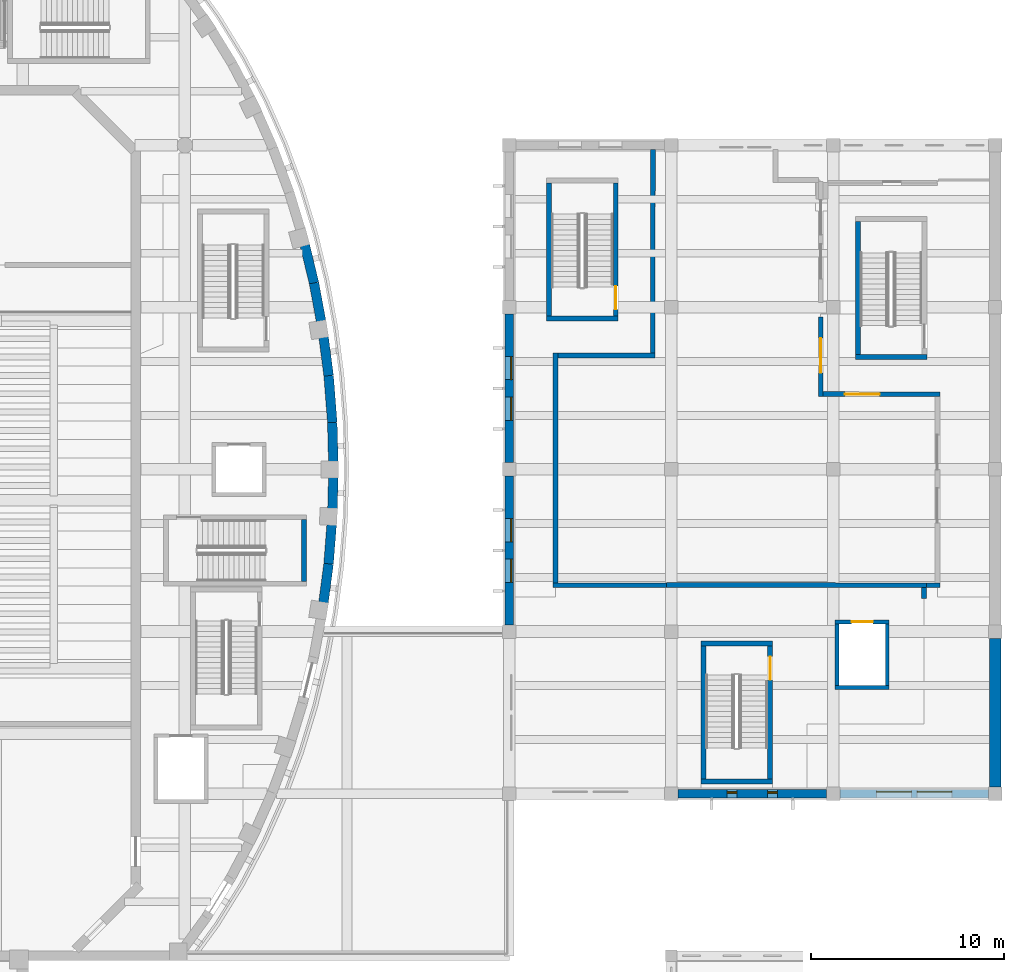
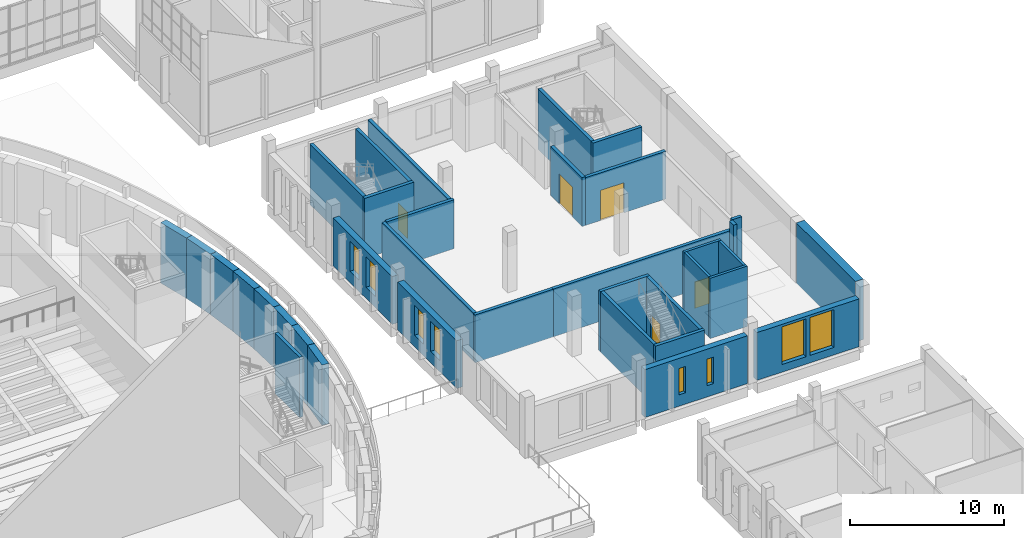
# One storey, part 69 of 119: 36 walls, 8 windows, 5 doors, 13 openings.
"""IFC4 building model written with IfcOpenShell, lengths in metres."""

from ifc_helpers import new_model, si_unit, direction, frame, frame_2d, origin, place, context, subcontext, project, spatial, rectangle, extrude, material, layer, layer_set, type_object, element, fill, save


model = new_model("IFC4")

# Units and contexts
model_context = context("Model", 3, precision=1e-05, world=origin(), true_north=direction((0.0, 1.0)))
body_context = subcontext(model_context, "Body", "Model", "MODEL_VIEW")
ifc_project = project(units=[si_unit("LENGTHUNIT", "METRE"), si_unit("AREAUNIT", "SQUARE_METRE"), si_unit("VOLUMEUNIT", "CUBIC_METRE"), si_unit("PLANEANGLEUNIT", "RADIAN"), si_unit("MASSUNIT", "GRAM", prefix="KILO")], contexts=[model_context])

# Site, building, storey
site_placement = place(None, origin())
site = spatial("IfcSite", under=ifc_project, at=site_placement, CompositionType="ELEMENT")
building_placement = place(site_placement, origin())
building = spatial("IfcBuilding", under=site, at=building_placement, Name="Larchfold Concert Hall", CompositionType="ELEMENT")
storey_placement = place(building_placement, frame((0.0, 0.0, 4.800048828125)))
storey = spatial("IfcBuildingStorey", under=building, at=storey_placement, Name="L01", CompositionType="ELEMENT", Elevation=4.800048828125)

# Wall, openings, windows
ifc_material_1 = material(Name="Charred larch cladding on mineral wool and CLT", Category="wood")
ifc_layer_1 = layer(ifc_material_1, 0.449951171875)
ifc_layer_set_1 = layer_set([ifc_layer_1], Name="Charred larch cladding on mineral wool and CLT")
wall_type_1 = type_object("IfcWallType", Name="Charred larch infill wall 450", PredefinedType="SOLIDWALL", material=ifc_layer_set_1)
wall_1_placement = place(storey_placement, frame((76.199951171875, 92.64990234375, 0.0), z_axis=(0.0, 0.0, 1.0), x_axis=(0.0, -1.0, 0.0)))
wall_1 = element("IfcWall", 1, at=wall_1_placement, inside=storey, type_object=wall_type_1, Name="Infill wall W5082", PredefinedType="SOLIDWALL", context=body_context, shape_type="SweptSolid", body=[
    extrude(rectangle(XDim=7.69970703125, YDim=0.449951171875, at=frame_2d((3.849853515625, 0.0))), origin(), (0.0, 0.0, 1.0), 3.800048828125),
])
opening_1_placement = place(wall_1_placement, frame((4.2998046875, 0.0, 0.89990234375)))
opening_1 = element("IfcOpeningElement", 2, at=opening_1_placement, cuts=wall_1, Name="Opening WN-L01-045", PredefinedType="OPENING", context=body_context, shape_type="SweptSolid", body=[
    extrude(rectangle(XDim=1.199951171875, YDim=2.39990234375, at=frame_2d((0.60009765625, 1.199951171875))), frame((0.0, 0.23486328125, 0.0), z_axis=(0.0, -1.0, 0.0), x_axis=(1.0, 0.0, 0.0)), (0.0, 0.0, 1.0), 0.469970703125),
])
opening_2_placement = place(wall_1_placement, frame((2.199951171875, 0.0, 0.89990234375)))
opening_2 = element("IfcOpeningElement", 3, at=opening_2_placement, cuts=wall_1, Name="Opening WN-L01-046", PredefinedType="OPENING", context=body_context, shape_type="SweptSolid", body=[
    extrude(rectangle(XDim=1.199951171875, YDim=2.39990234375, at=frame_2d((0.60009765625, 1.199951171875))), frame((0.0, 0.23486328125, 0.0), z_axis=(0.0, -1.0, 0.0), x_axis=(1.0, 0.0, 0.0)), (0.0, 0.0, 1.0), 0.469970703125),
])
ifc_material_2 = material(Name="Anodised graphite aluminium frame with glass", Category="aluminium")
window_type_1 = type_object("IfcWindowType", Name="Slot window 1200x2400", PartitioningType="SINGLE_PANEL", PredefinedType="WINDOW", material=ifc_material_2)
window_1_placement = place(opening_1_placement, origin())
window_1 = element("IfcWindow", 4, at=window_1_placement, inside=storey, type_object=window_type_1, Name="Window WN-L01-045", OverallHeight=2.39990234375, OverallWidth=1.199951171875, PartitioningType="SINGLE_PANEL", PredefinedType="WINDOW", context=body_context, shape_type="SweptSolid", body=[
    extrude(rectangle(XDim=1.199951171875, YDim=2.39990234375, at=frame_2d((0.60009765625, 1.199951171875))), frame((0.0, 0.135009765625, 0.0), z_axis=(0.0, -1.0, 0.0), x_axis=(1.0, 0.0, 0.0)), (0.0, 0.0, 1.0), 0.06005859375),
])
fill(opening_1, window_1)
window_2_placement = place(opening_2_placement, origin())
window_2 = element("IfcWindow", 5, at=window_2_placement, inside=storey, type_object=window_type_1, Name="Window WN-L01-046", OverallHeight=2.39990234375, OverallWidth=1.199951171875, PartitioningType="SINGLE_PANEL", PredefinedType="WINDOW", context=body_context, shape_type="SweptSolid", body=[
    extrude(rectangle(XDim=1.199951171875, YDim=2.39990234375, at=frame_2d((0.60009765625, 1.199951171875))), frame((0.0, 0.135009765625, 0.0), z_axis=(0.0, -1.0, 0.0), x_axis=(1.0, 0.0, 0.0)), (0.0, 0.0, 1.0), 0.06005859375),
])
fill(opening_2, window_2)

wall_2_placement = place(storey_placement, frame((76.199951171875, 84.25, 0.0), z_axis=(0.0, 0.0, 1.0), x_axis=(0.0, -1.0, 0.0)))
wall_2 = element("IfcWall", 6, at=wall_2_placement, inside=storey, type_object=wall_type_1, Name="Infill wall W5083", PredefinedType="SOLIDWALL", context=body_context, shape_type="SweptSolid", body=[
    extrude(rectangle(XDim=7.699951171875, YDim=0.449951171875, at=frame_2d((3.85009765625, 0.0))), origin(), (0.0, 0.0, 1.0), 3.800048828125),
])
opening_3_placement = place(wall_2_placement, frame((4.300048828125, 0.0, 0.89990234375)))
opening_3 = element("IfcOpeningElement", 7, at=opening_3_placement, cuts=wall_2, Name="Opening WN-L01-047", PredefinedType="OPENING", context=body_context, shape_type="SweptSolid", body=[
    extrude(rectangle(XDim=1.199951171875, YDim=2.39990234375, at=frame_2d((0.60009765625, 1.199951171875))), frame((0.0, 0.23486328125, 0.0), z_axis=(0.0, -1.0, 0.0), x_axis=(1.0, 0.0, 0.0)), (0.0, 0.0, 1.0), 0.469970703125),
])
opening_4_placement = place(wall_2_placement, frame((2.199951171875, 0.0, 0.89990234375)))
opening_4 = element("IfcOpeningElement", 8, at=opening_4_placement, cuts=wall_2, Name="Opening WN-L01-048", PredefinedType="OPENING", context=body_context, shape_type="SweptSolid", body=[
    extrude(rectangle(XDim=1.199951171875, YDim=2.39990234375, at=frame_2d((0.60009765625, 1.199951171875))), frame((0.0, 0.23486328125, 0.0), z_axis=(0.0, -1.0, 0.0), x_axis=(1.0, 0.0, 0.0)), (0.0, 0.0, 1.0), 0.469970703125),
])
window_3_placement = place(opening_3_placement, origin())
window_3 = element("IfcWindow", 9, at=window_3_placement, inside=storey, type_object=window_type_1, Name="Window WN-L01-047", OverallHeight=2.39990234375, OverallWidth=1.199951171875, PartitioningType="SINGLE_PANEL", PredefinedType="WINDOW", context=body_context, shape_type="SweptSolid", body=[
    extrude(rectangle(XDim=1.199951171875, YDim=2.39990234375, at=frame_2d((0.60009765625, 1.199951171875))), frame((0.0, 0.135009765625, 0.0), z_axis=(0.0, -1.0, 0.0), x_axis=(1.0, 0.0, 0.0)), (0.0, 0.0, 1.0), 0.06005859375),
])
fill(opening_3, window_3)
window_4_placement = place(opening_4_placement, origin())
window_4 = element("IfcWindow", 10, at=window_4_placement, inside=storey, type_object=window_type_1, Name="Window WN-L01-048", OverallHeight=2.39990234375, OverallWidth=1.199951171875, PartitioningType="SINGLE_PANEL", PredefinedType="WINDOW", context=body_context, shape_type="SweptSolid", body=[
    extrude(rectangle(XDim=1.199951171875, YDim=2.39990234375, at=frame_2d((0.60009765625, 1.199951171875))), frame((0.0, 0.135009765625, 0.0), z_axis=(0.0, -1.0, 0.0), x_axis=(1.0, 0.0, 0.0)), (0.0, 0.0, 1.0), 0.06005859375),
])
fill(opening_4, window_4)

wall_3_placement = place(storey_placement, frame((84.9501953125, 67.800048828125, 0.0), z_axis=(0.0, 0.0, 1.0), x_axis=(1.0, 0.0, 0.0)))
wall_3 = element("IfcWall", 11, at=wall_3_placement, inside=storey, type_object=wall_type_1, Name="Infill wall W5086", PredefinedType="SOLIDWALL", context=body_context, shape_type="SweptSolid", body=[
    extrude(rectangle(XDim=7.69970703125, YDim=0.449951171875, at=frame_2d((3.849853515625, 0.0))), origin(), (0.0, 0.0, 1.0), 3.800048828125),
])
opening_5_placement = place(wall_3_placement, frame((2.5498046875, 0.0, 0.89990234375)))
opening_5 = element("IfcOpeningElement", 12, at=opening_5_placement, cuts=wall_3, Name="Opening WN-L01-053", PredefinedType="OPENING", context=body_context, shape_type="SweptSolid", body=[
    extrude(rectangle(XDim=0.5, YDim=2.10009765625, at=frame_2d((0.25, 1.050048828125))), frame((0.0, 0.23486328125, 0.0), z_axis=(0.0, -1.0, 0.0), x_axis=(1.0, 0.0, 0.0)), (0.0, 0.0, 1.0), 0.469970703125),
])
opening_6_placement = place(wall_3_placement, frame((4.64990234375, 0.0, 0.89990234375)))
opening_6 = element("IfcOpeningElement", 13, at=opening_6_placement, cuts=wall_3, Name="Opening WN-L01-054", PredefinedType="OPENING", context=body_context, shape_type="SweptSolid", body=[
    extrude(rectangle(XDim=0.5, YDim=2.10009765625, at=frame_2d((0.25, 1.050048828125))), frame((0.0, 0.23486328125, 0.0), z_axis=(0.0, -1.0, 0.0), x_axis=(1.0, 0.0, 0.0)), (0.0, 0.0, 1.0), 0.469970703125),
])
ifc_material_3 = material(Name="Anodised graphite aluminium frame with glass", Category="aluminium")
window_type_2 = type_object("IfcWindowType", Name="Stair slot window 500x2100", PartitioningType="SINGLE_PANEL", PredefinedType="WINDOW", material=ifc_material_3)
window_5_placement = place(opening_5_placement, origin())
window_5 = element("IfcWindow", 14, at=window_5_placement, inside=storey, type_object=window_type_2, Name="Window WN-L01-053", OverallHeight=2.10009765625, OverallWidth=0.5, PartitioningType="SINGLE_PANEL", PredefinedType="WINDOW", context=body_context, shape_type="SweptSolid", body=[
    extrude(rectangle(XDim=0.5, YDim=2.10009765625, at=frame_2d((0.25, 1.050048828125))), frame((0.0, 0.0849609375, 0.0), z_axis=(0.0, -1.0, 0.0), x_axis=(1.0, 0.0, 0.0)), (0.0, 0.0, 1.0), 0.06005859375),
])
fill(opening_5, window_5)
window_6_placement = place(opening_6_placement, origin())
window_6 = element("IfcWindow", 15, at=window_6_placement, inside=storey, type_object=window_type_2, Name="Window WN-L01-054", OverallHeight=2.10009765625, OverallWidth=0.5, PartitioningType="SINGLE_PANEL", PredefinedType="WINDOW", context=body_context, shape_type="SweptSolid", body=[
    extrude(rectangle(XDim=0.5, YDim=2.10009765625, at=frame_2d((0.25, 1.050048828125))), frame((0.0, 0.0849609375, 0.0), z_axis=(0.0, -1.0, 0.0), x_axis=(1.0, 0.0, 0.0)), (0.0, 0.0, 1.0), 0.06005859375),
])
fill(opening_6, window_6)

wall_4_placement = place(storey_placement, frame((93.35009765625, 67.800048828125, 0.0), z_axis=(0.0, 0.0, 1.0), x_axis=(1.0, 0.0, 0.0)))
wall_4 = element("IfcWall", 16, at=wall_4_placement, inside=storey, type_object=wall_type_1, Name="Infill wall W5087", PredefinedType="SOLIDWALL", context=body_context, shape_type="SweptSolid", body=[
    extrude(rectangle(XDim=7.69970703125, YDim=0.449951171875, at=frame_2d((3.849853515625, 0.0))), origin(), (0.0, 0.0, 1.0), 3.800048828125),
])
opening_7_placement = place(wall_4_placement, frame((1.89990234375, 0.0, 0.60009765625)))
opening_7 = element("IfcOpeningElement", 17, at=opening_7_placement, cuts=wall_4, Name="Opening WN-L01-055", PredefinedType="OPENING", context=body_context, shape_type="SweptSolid", body=[
    extrude(rectangle(XDim=1.800048828125, YDim=3.0, at=frame_2d((0.89990234375, 1.5))), frame((0.0, 0.23486328125, 0.0), z_axis=(0.0, -1.0, 0.0), x_axis=(1.0, 0.0, 0.0)), (0.0, 0.0, 1.0), 0.469970703125),
])
opening_8_placement = place(wall_4_placement, frame((4.0, 0.0, 0.60009765625)))
opening_8 = element("IfcOpeningElement", 18, at=opening_8_placement, cuts=wall_4, Name="Opening WN-L01-056", PredefinedType="OPENING", context=body_context, shape_type="SweptSolid", body=[
    extrude(rectangle(XDim=1.800048828125, YDim=3.0, at=frame_2d((0.89990234375, 1.5))), frame((0.0, 0.23486328125, 0.0), z_axis=(0.0, -1.0, 0.0), x_axis=(1.0, 0.0, 0.0)), (0.0, 0.0, 1.0), 0.469970703125),
])
ifc_material_4 = material(Name="Anodised graphite aluminium frame with glass", Category="aluminium")
window_type_3 = type_object("IfcWindowType", Name="Foyer tall window 1800x3000", PartitioningType="DOUBLE_PANEL_VERTICAL", PredefinedType="WINDOW", material=ifc_material_4)
window_7_placement = place(opening_7_placement, origin())
window_7 = element("IfcWindow", 19, at=window_7_placement, inside=storey, type_object=window_type_3, Name="Window WN-L01-055", OverallHeight=3.0, OverallWidth=1.800048828125, PartitioningType="DOUBLE_PANEL_VERTICAL", PredefinedType="WINDOW", context=body_context, shape_type="SweptSolid", body=[
    extrude(rectangle(XDim=1.800048828125, YDim=3.0, at=frame_2d((0.89990234375, 1.5))), frame((0.0, 0.135009765625, 0.0), z_axis=(0.0, -1.0, 0.0), x_axis=(1.0, 0.0, 0.0)), (0.0, 0.0, 1.0), 0.06005859375),
])
fill(opening_7, window_7)
window_8_placement = place(opening_8_placement, origin())
window_8 = element("IfcWindow", 20, at=window_8_placement, inside=storey, type_object=window_type_3, Name="Window WN-L01-056", OverallHeight=3.0, OverallWidth=1.800048828125, PartitioningType="DOUBLE_PANEL_VERTICAL", PredefinedType="WINDOW", context=body_context, shape_type="SweptSolid", body=[
    extrude(rectangle(XDim=1.800048828125, YDim=3.0, at=frame_2d((0.89990234375, 1.5))), frame((0.0, 0.135009765625, 0.0), z_axis=(0.0, -1.0, 0.0), x_axis=(1.0, 0.0, 0.0)), (0.0, 0.0, 1.0), 0.06005859375),
])
fill(opening_8, window_8)

# Walls
ifc_material_5 = material(Name="Plasterboard partition on steel studs", Category="steel")
ifc_layer_2 = layer(ifc_material_5, 0.25)
ifc_layer_set_2 = layer_set([ifc_layer_2], Name="Plasterboard partition on steel studs")
wall_type_2 = type_object("IfcWallType", Name="Hall acoustic double-leaf partition 250", PredefinedType="PARTITIONING", material=ifc_layer_set_2)
wall_5_placement = place(storey_placement, frame((84.35009765625, 78.612060546875, 0.0), z_axis=(0.0, 0.0, 1.0), x_axis=(0.999999521312, -0.000978455383, 0.0)))
element("IfcWall", 21, at=wall_5_placement, inside=storey, type_object=wall_type_2, Name="Partition IW0066", PredefinedType="PARTITIONING", context=body_context, shape_type="SweptSolid", body=[
    extrude(rectangle(XDim=13.473876953125, YDim=0.25, at=frame_2d((6.73681640625, 0.0))), origin(), (0.0, 0.0, 1.0), 3.800048828125),
])
wall_6_placement = place(storey_placement, frame((84.34912109375, 78.60107421875, 0.0), z_axis=(0.0, 0.0, 1.0), x_axis=(-1.0, 0.0, 0.0)))
element("IfcWall", 22, at=wall_6_placement, inside=storey, type_object=wall_type_2, Name="Partition IW0067", PredefinedType="PARTITIONING", context=body_context, shape_type="SweptSolid", body=[
    extrude(rectangle(XDim=5.8740234375, YDim=0.25, at=frame_2d((2.93701171875, 0.0))), origin(), (0.0, 0.0, 1.0), 3.800048828125),
])
wall_7_placement = place(storey_placement, frame((98.52490234375, 78.60107421875, 0.0), z_axis=(0.0, 0.0, 1.0), x_axis=(-0.999999026729, -0.001395185248, 0.0)))
element("IfcWall", 23, at=wall_7_placement, inside=storey, type_object=wall_type_2, Name="Partition IW0068", PredefinedType="PARTITIONING", context=body_context, shape_type="SweptSolid", body=[
    extrude(rectangle(XDim=0.699951171875, YDim=0.25, at=frame_2d((0.35009765625, 0.0))), origin(), (0.0, 0.0, 1.0), 4.599853515625),
])
wall_8_placement = place(storey_placement, frame((97.69970703125, 78.469970703125, 0.0), z_axis=(0.0, 0.0, 1.0), x_axis=(-0.001728605888, -0.99999850596, 0.0)))
element("IfcWall", 24, at=wall_8_placement, inside=storey, type_object=wall_type_2, Name="Partition IW0069", PredefinedType="PARTITIONING", context=body_context, shape_type="SweptSolid", body=[
    extrude(rectangle(XDim=0.56494140625, YDim=0.25, at=frame_2d((0.282470703125, 0.0))), origin(), (0.0, 0.0, 1.0), 4.599853515625),
])

# Wall, opening, door
wall_9_placement = place(storey_placement, frame((92.35107421875, 92.5048828125, 0.0), z_axis=(0.0, 0.0, 1.0), x_axis=(0.000236686384, -0.99999997199, 0.0)))
wall_9 = element("IfcWall", 25, at=wall_9_placement, inside=storey, type_object=wall_type_2, Name="Partition IW0071", PredefinedType="PARTITIONING", context=body_context, shape_type="SweptSolid", body=[
    extrude(rectangle(XDim=4.1259765625, YDim=0.25, at=frame_2d((2.06298828125, 0.0))), origin(), (0.0, 0.0, 1.0), 3.89990234375),
])
opening_9_placement = place(wall_9_placement, frame((1.10009765625, 0.0, 0.0)))
opening_9 = element("IfcOpeningElement", 26, at=opening_9_placement, cuts=wall_9, Name="Opening D-L01-138", PredefinedType="OPENING", context=body_context, shape_type="SweptSolid", body=[
    extrude(rectangle(XDim=1.800048828125, YDim=2.39990234375, at=frame_2d((0.89990234375, 1.199951171875))), frame((0.0, 0.135009765625, 0.0), z_axis=(0.0, -1.0, 0.0), x_axis=(1.0, 0.0, 0.0)), (0.0, 0.0, 1.0), 0.27001953125),
])
ifc_material_6 = material(Name="Timber door leaf", Category="wood")
door_type_1 = type_object("IfcDoorType", Name="Hall vomitory door pair, acoustic 1800 x 2400 FD60", OperationType="SINGLE_SWING_LEFT", PredefinedType="DOOR", material=ifc_material_6)
door_1_placement = place(opening_9_placement, origin())
door_1 = element("IfcDoor", 27, at=door_1_placement, inside=storey, type_object=door_type_1, Name="Door D-L01-138", OperationType="DOUBLE_DOOR_SINGLE_SWING", OverallHeight=2.39990234375, OverallWidth=1.800048828125, PredefinedType="DOOR", context=body_context, shape_type="SweptSolid", body=[
    extrude(rectangle(XDim=1.800048828125, YDim=2.39990234375, at=frame_2d((0.89990234375, 1.199951171875))), frame((0.0, 0.02490234375, 0.0), z_axis=(0.0, -1.0, 0.0), x_axis=(1.0, 0.0, 0.0)), (0.0, 0.0, 1.0), 0.050048828125),
])
fill(opening_9, door_1)

wall_10_placement = place(storey_placement, frame((92.47705078125, 88.50390625, 0.0), z_axis=(0.0, 0.0, 1.0), x_axis=(0.999999791413, -0.000645890387, 0.0)))
wall_10 = element("IfcWall", 28, at=wall_10_placement, inside=storey, type_object=wall_type_2, Name="Partition IW0072", PredefinedType="PARTITIONING", context=body_context, shape_type="SweptSolid", body=[
    extrude(rectangle(XDim=6.0478515625, YDim=0.25, at=frame_2d((3.02392578125, 0.0))), origin(), (0.0, 0.0, 1.0), 3.800048828125),
])
opening_10_placement = place(wall_10_placement, frame((1.12060546875, 0.0, 0.0)))
opening_10 = element("IfcOpeningElement", 29, at=opening_10_placement, cuts=wall_10, Name="Opening D-L01-134", PredefinedType="OPENING", context=body_context, shape_type="SweptSolid", body=[
    extrude(rectangle(XDim=1.800048828125, YDim=2.39990234375, at=frame_2d((0.89990234375, 1.199951171875))), frame((0.0, 0.135009765625, 0.0), z_axis=(0.0, -1.0, 0.0), x_axis=(1.0, 0.0, 0.0)), (0.0, 0.0, 1.0), 0.27001953125),
])
door_2_placement = place(opening_10_placement, origin())
door_2 = element("IfcDoor", 30, at=door_2_placement, inside=storey, type_object=door_type_1, Name="Door D-L01-134", OperationType="DOUBLE_DOOR_SINGLE_SWING", OverallHeight=2.39990234375, OverallWidth=1.800048828125, PredefinedType="DOOR", context=body_context, shape_type="SweptSolid", body=[
    extrude(rectangle(XDim=1.800048828125, YDim=2.39990234375, at=frame_2d((0.89990234375, 1.199951171875))), frame((0.0, 0.02490234375, 0.0), z_axis=(0.0, -1.0, 0.0), x_axis=(1.0, 0.0, 0.0)), (0.0, 0.0, 1.0), 0.050048828125),
])
fill(opening_10, door_2)

# Walls
wall_11_placement = place(storey_placement, frame((78.60009765625, 78.72607421875, 0.0), z_axis=(0.0, 0.0, 1.0), x_axis=(0.0, 1.0, 0.0)))
element("IfcWall", 31, at=wall_11_placement, inside=storey, type_object=wall_type_2, Name="Partition IW0074", PredefinedType="PARTITIONING", context=body_context, shape_type="SweptSolid", body=[
    extrude(rectangle(XDim=11.89892578125, YDim=0.25, at=frame_2d((5.949462890625, 0.0))), origin(), (0.0, 0.0, 1.0), 3.800048828125),
])
wall_12_placement = place(storey_placement, frame((78.72509765625, 90.500244140625, 0.0), z_axis=(0.0, 0.0, 1.0), x_axis=(0.999999326572, 0.001160540805, 0.0)))
element("IfcWall", 32, at=wall_12_placement, inside=storey, type_object=wall_type_2, Name="Partition IW0075", PredefinedType="PARTITIONING", context=body_context, shape_type="SweptSolid", body=[
    extrude(rectangle(XDim=5.048828125, YDim=0.25, at=frame_2d((2.5244140625, 0.0))), origin(), (0.0, 0.0, 1.0), 3.89990234375),
])
wall_13_placement = place(storey_placement, frame((83.64892578125, 90.631103515625, 0.0), z_axis=(0.0, 0.0, 1.0), x_axis=(9.2620464e-05, 0.999999995711, 0.0)))
element("IfcWall", 33, at=wall_13_placement, inside=storey, type_object=wall_type_2, Name="Partition IW0076", PredefinedType="PARTITIONING", context=body_context, shape_type="SweptSolid", body=[
    extrude(rectangle(XDim=10.543701171875, YDim=0.25, at=frame_2d((5.27197265625, 0.0))), origin(), (0.0, 0.0, 1.0), 3.800048828125),
])
ifc_material_7 = material(Name="Concrete C40/50", Category="concrete")
ifc_layer_3 = layer(ifc_material_7, 0.199951171875)
ifc_layer_set_3 = layer_set([ifc_layer_3], Name="Concrete C40/50")
wall_type_3 = type_object("IfcWallType", Name="Wall RC 200 lift shaft", PredefinedType="SOLIDWALL", material=ifc_layer_set_3)
wall_14_placement = place(storey_placement, frame((93.10009765625, 73.300048828125, 0.0), z_axis=(0.0, 0.0, 1.0), x_axis=(1.0, 0.0, 0.0)))
element("IfcWall", 34, at=wall_14_placement, inside=storey, type_object=wall_type_3, Name="Wall W0172", PredefinedType="SOLIDWALL", context=body_context, shape_type="SweptSolid", body=[
    extrude(rectangle(XDim=2.7998046875, YDim=0.199951171875, at=frame_2d((1.39990234375, 0.0))), origin(), (0.0, 0.0, 1.0), 4.800048828125),
])

# Wall, opening, door
wall_15_placement = place(storey_placement, frame((93.10009765625, 76.699951171875, 0.0), z_axis=(0.0, 0.0, 1.0), x_axis=(1.0, 0.0, 0.0)))
wall_15 = element("IfcWall", 35, at=wall_15_placement, inside=storey, type_object=wall_type_3, Name="Wall W0173", PredefinedType="SOLIDWALL", context=body_context, shape_type="SweptSolid", body=[
    extrude(rectangle(XDim=2.7998046875, YDim=0.199951171875, at=frame_2d((1.39990234375, 0.0))), origin(), (0.0, 0.0, 1.0), 4.800048828125),
])
opening_11_placement = place(wall_15_placement, frame((0.849853515625, 0.0, 0.0)))
opening_11 = element("IfcOpeningElement", 36, at=opening_11_placement, cuts=wall_15, Name="Opening LD-LF08", PredefinedType="OPENING", context=body_context, shape_type="SweptSolid", body=[
    extrude(rectangle(XDim=1.10009765625, YDim=2.10009765625, at=frame_2d((0.550048828125, 1.050048828125))), frame((0.0, 0.10986328125, 0.0), z_axis=(0.0, -1.0, 0.0), x_axis=(1.0, 0.0, 0.0)), (0.0, 0.0, 1.0), 0.219970703125),
])
ifc_material_8 = material(Name="Stainless steel sliding leaves", Category="steel")
door_type_2 = type_object("IfcDoorType", Name="Lift landing door sliding 1100 x 2100", OperationType="SLIDING_TO_LEFT", PredefinedType="DOOR", material=ifc_material_8)
door_3_placement = place(opening_11_placement, origin())
door_3 = element("IfcDoor", 37, at=door_3_placement, inside=storey, type_object=door_type_2, Name="Lift landing door LF08", OperationType="SLIDING_TO_LEFT", OverallHeight=2.10009765625, OverallWidth=1.10009765625, PredefinedType="DOOR", context=body_context, shape_type="SweptSolid", body=[
    extrude(rectangle(XDim=1.10009765625, YDim=2.10009765625, at=frame_2d((0.550048828125, 1.050048828125))), frame((0.0, 0.02490234375, 0.0), z_axis=(0.0, -1.0, 0.0), x_axis=(1.0, 0.0, 0.0)), (0.0, 0.0, 1.0), 0.050048828125),
])
fill(opening_11, door_3)

# Walls
for number, where, z_axis, x_axis, name in (
    (38, (93.2001953125, 73.39990234375, 0.0), (0.0, 0.0, 1.0), (0.0, 1.0, 0.0), "Wall W0174"),
    (39, (95.7998046875, 73.39990234375, 0.0), (0.0, 0.0, 1.0), (0.0, 1.0, 0.0), "Wall W0175"),
):
    element("IfcWall", number, at=place(storey_placement, frame(where, z_axis=z_axis, x_axis=x_axis)), inside=storey, type_object=wall_type_3, Name=name, PredefinedType="SOLIDWALL", context=body_context, shape_type="SweptSolid", body=[
        extrude(rectangle(XDim=3.2001953125, YDim=0.199951171875, at=frame_2d((1.60009765625, 0.0))), origin(), (0.0, 0.0, 1.0), 4.800048828125),
    ])
ifc_material_9 = material(Name="Concrete C40/50", Category="concrete")
ifc_layer_4 = layer(ifc_material_9, 0.25)
ifc_layer_set_4 = layer_set([ifc_layer_4], Name="Concrete C40/50")
wall_type_4 = type_object("IfcWallType", Name="Wall RC 250 stair core", PredefinedType="SOLIDWALL", material=ifc_layer_set_4)
wall_16_placement = place(storey_placement, frame((65.574951171875, 78.800048828125, 0.0), z_axis=(0.0, 0.0, 1.0), x_axis=(0.0, 1.0, 0.0)))
element("IfcWall", 40, at=wall_16_placement, inside=storey, type_object=wall_type_4, Name="Wall W0063", PredefinedType="SOLIDWALL", context=body_context, shape_type="SweptSolid", body=[
    extrude(rectangle(XDim=3.199951171875, YDim=0.25, at=frame_2d((1.60009765625, 0.0))), origin(), (0.0, 0.0, 1.0), 4.800048828125),
])
for number, where, z_axis, x_axis, name in (
    (41, (86.14990234375, 68.425048828125, 0.0), (0.0, 0.0, 1.0), (1.0, 0.0, 0.0), "Wall W0092"),
    (42, (86.14990234375, 75.574951171875, 0.0), (0.0, 0.0, 1.0), (1.0, 0.0, 0.0), "Wall W0093"),
):
    element("IfcWall", number, at=place(storey_placement, frame(where, z_axis=z_axis, x_axis=x_axis)), inside=storey, type_object=wall_type_4, Name=name, PredefinedType="SOLIDWALL", context=body_context, shape_type="SweptSolid", body=[
        extrude(rectangle(XDim=3.7001953125, YDim=0.25, at=frame_2d((1.85009765625, 0.0))), origin(), (0.0, 0.0, 1.0), 4.800048828125),
    ])
wall_17_placement = place(storey_placement, frame((86.27490234375, 68.550048828125, 0.0), z_axis=(0.0, 0.0, 1.0), x_axis=(0.0, 1.0, 0.0)))
element("IfcWall", 43, at=wall_17_placement, inside=storey, type_object=wall_type_4, Name="Wall W0094", PredefinedType="SOLIDWALL", context=body_context, shape_type="SweptSolid", body=[
    extrude(rectangle(XDim=6.89990234375, YDim=0.25, at=frame_2d((3.449951171875, 0.0))), origin(), (0.0, 0.0, 1.0), 4.800048828125),
])

# Wall, opening, door
wall_18_placement = place(storey_placement, frame((89.72509765625, 68.550048828125, 0.0), z_axis=(0.0, 0.0, 1.0), x_axis=(0.0, 1.0, 0.0)))
wall_18 = element("IfcWall", 44, at=wall_18_placement, inside=storey, type_object=wall_type_4, Name="Wall W0095", PredefinedType="SOLIDWALL", context=body_context, shape_type="SweptSolid", body=[
    extrude(rectangle(XDim=6.89990234375, YDim=0.25, at=frame_2d((3.449951171875, 0.0))), origin(), (0.0, 0.0, 1.0), 4.800048828125),
])
opening_12_placement = place(wall_18_placement, frame((5.14990234375, 0.0, 0.0)))
opening_12 = element("IfcOpeningElement", 45, at=opening_12_placement, cuts=wall_18, Name="Opening D-L01-176", PredefinedType="OPENING", context=body_context, shape_type="SweptSolid", body=[
    extrude(rectangle(XDim=1.199951171875, YDim=2.10009765625, at=frame_2d((0.60009765625, 1.050048828125))), frame((0.0, 0.135009765625, 0.0), z_axis=(0.0, -1.0, 0.0), x_axis=(1.0, 0.0, 0.0)), (0.0, 0.0, 1.0), 0.27001953125),
])
ifc_material_10 = material(Name="Timber door leaf", Category="wood")
door_type_3 = type_object("IfcDoorType", Name="Stair enclosure door pair 1200 x 2100 FD60", OperationType="SINGLE_SWING_LEFT", PredefinedType="DOOR", material=ifc_material_10)
door_4_placement = place(opening_12_placement, origin())
door_4 = element("IfcDoor", 46, at=door_4_placement, inside=storey, type_object=door_type_3, Name="Door D-L01-176", OperationType="DOUBLE_DOOR_SINGLE_SWING", OverallHeight=2.10009765625, OverallWidth=1.199951171875, PredefinedType="DOOR", context=body_context, shape_type="SweptSolid", body=[
    extrude(rectangle(XDim=1.199951171875, YDim=2.10009765625, at=frame_2d((0.60009765625, 1.050048828125))), frame((0.0, 0.02490234375, 0.0), z_axis=(0.0, -1.0, 0.0), x_axis=(1.0, 0.0, 0.0)), (0.0, 0.0, 1.0), 0.050048828125),
])
fill(opening_12, door_4)

# Walls
wall_19_placement = place(storey_placement, frame((78.14990234375, 92.425048828125, 0.0), z_axis=(0.0, 0.0, 1.0), x_axis=(1.0, 0.0, 0.0)))
element("IfcWall", 47, at=wall_19_placement, inside=storey, type_object=wall_type_4, Name="Wall W0096", PredefinedType="SOLIDWALL", context=body_context, shape_type="SweptSolid", body=[
    extrude(rectangle(XDim=3.7001953125, YDim=0.25, at=frame_2d((1.85009765625, 0.0))), origin(), (0.0, 0.0, 1.0), 4.800048828125),
])
wall_20_placement = place(storey_placement, frame((78.27490234375, 92.550048828125, 0.0), z_axis=(0.0, 0.0, 1.0), x_axis=(0.0, 1.0, 0.0)))
element("IfcWall", 48, at=wall_20_placement, inside=storey, type_object=wall_type_4, Name="Wall W0098", PredefinedType="SOLIDWALL", context=body_context, shape_type="SweptSolid", body=[
    extrude(rectangle(XDim=6.89990234375, YDim=0.25, at=frame_2d((3.449951171875, 0.0))), origin(), (0.0, 0.0, 1.0), 4.800048828125),
])

# Wall, opening, door
wall_21_placement = place(storey_placement, frame((81.72509765625, 92.550048828125, 0.0), z_axis=(0.0, 0.0, 1.0), x_axis=(0.0, 1.0, 0.0)))
wall_21 = element("IfcWall", 49, at=wall_21_placement, inside=storey, type_object=wall_type_4, Name="Wall W0099", PredefinedType="SOLIDWALL", context=body_context, shape_type="SweptSolid", body=[
    extrude(rectangle(XDim=6.89990234375, YDim=0.25, at=frame_2d((3.449951171875, 0.0))), origin(), (0.0, 0.0, 1.0), 4.800048828125),
])
opening_13_placement = place(wall_21_placement, frame((0.35009765625, 0.0, 0.0)))
opening_13 = element("IfcOpeningElement", 50, at=opening_13_placement, cuts=wall_21, Name="Opening D-L01-178", PredefinedType="OPENING", context=body_context, shape_type="SweptSolid", body=[
    extrude(rectangle(XDim=1.199951171875, YDim=2.10009765625, at=frame_2d((0.60009765625, 1.050048828125))), frame((0.0, 0.135009765625, 0.0), z_axis=(0.0, -1.0, 0.0), x_axis=(1.0, 0.0, 0.0)), (0.0, 0.0, 1.0), 0.27001953125),
])
door_5_placement = place(opening_13_placement, origin())
door_5 = element("IfcDoor", 51, at=door_5_placement, inside=storey, type_object=door_type_3, Name="Door D-L01-178", OperationType="DOUBLE_DOOR_SINGLE_SWING", OverallHeight=2.10009765625, OverallWidth=1.199951171875, PredefinedType="DOOR", context=body_context, shape_type="SweptSolid", body=[
    extrude(rectangle(XDim=1.199951171875, YDim=2.10009765625, at=frame_2d((0.60009765625, 1.050048828125))), frame((0.0, 0.02490234375, 0.0), z_axis=(0.0, -1.0, 0.0), x_axis=(1.0, 0.0, 0.0)), (0.0, 0.0, 1.0), 0.050048828125),
])
fill(opening_13, door_5)

# Walls
wall_22_placement = place(storey_placement, frame((94.14990234375, 90.425048828125, 0.0), z_axis=(0.0, 0.0, 1.0), x_axis=(1.0, 0.0, 0.0)))
element("IfcWall", 52, at=wall_22_placement, inside=storey, type_object=wall_type_4, Name="Wall W0100", PredefinedType="SOLIDWALL", context=body_context, shape_type="SweptSolid", body=[
    extrude(rectangle(XDim=3.7001953125, YDim=0.25, at=frame_2d((1.85009765625, 0.0))), origin(), (0.0, 0.0, 1.0), 4.800048828125),
])
wall_23_placement = place(storey_placement, frame((94.27490234375, 90.550048828125, 0.0), z_axis=(0.0, 0.0, 1.0), x_axis=(0.0, 1.0, 0.0)))
element("IfcWall", 53, at=wall_23_placement, inside=storey, type_object=wall_type_4, Name="Wall W0102", PredefinedType="SOLIDWALL", context=body_context, shape_type="SweptSolid", body=[
    extrude(rectangle(XDim=6.89990234375, YDim=0.25, at=frame_2d((3.449951171875, 0.0))), origin(), (0.0, 0.0, 1.0), 4.800048828125),
])
ifc_material_11 = material(Name="Concrete C30/37", Category="concrete")
ifc_layer_5 = layer(ifc_material_11, 0.5)
ifc_layer_set_5 = layer_set([ifc_layer_5], Name="Concrete C30/37")
wall_type_5 = type_object("IfcWallType", Name="Wall RC 500 drum facade", PredefinedType="SOLIDWALL", material=ifc_layer_set_5)
for number, where, z_axis, x_axis, name in (
    (54, (67.10009765625, 84.60009765625, 0.0), (0.0, 0.0, 1.0), (-0.025779107921, 0.999667663574, 0.0), "Wall DW001"),
    (55, (67.037353515625, 87.033203125, 0.0), (0.0, 0.0, 1.0), (-0.077540262419, 0.996989221458, 0.0), "Wall DW002"),
    (56, (66.8486328125, 89.459716796875, 0.0), (0.0, 0.0, 1.0), (-0.129699392582, 0.991553360926, 0.0), "Wall DW003"),
    (57, (66.532958984375, 91.873046875, 0.0), (0.0, 0.0, 1.0), (-0.182362243365, 0.983231413348, 0.0), "Wall DW004"),
    (58, (66.089111328125, 94.26611328125, 0.0), (0.0, 0.0, 1.0), (-0.235921551206, 0.971772103776, 0.0), "Wall DW005"),
):
    element("IfcWall", number, at=place(storey_placement, frame(where, z_axis=z_axis, x_axis=x_axis)), inside=storey, type_object=wall_type_5, Name=name, PredefinedType="SOLIDWALL", context=body_context, shape_type="SweptSolid", body=[
        extrude(rectangle(XDim=2.433837890625, YDim=0.5, at=frame_2d((1.216796875, 0.0))), origin(), (0.0, 0.0, 1.0), 4.800048828125),
    ])
wall_24_placement = place(storey_placement, frame((66.52587890625, 77.2822265625, 0.0), z_axis=(0.0, 0.0, 1.0), x_axis=(0.130498353005, 0.991448526078, 0.0)))
element("IfcWall", 59, at=wall_24_placement, inside=storey, type_object=wall_type_5, Name="Wall DW059", PredefinedType="SOLIDWALL", context=body_context, shape_type="SweptSolid", body=[
    extrude(rectangle(XDim=2.448974609375, YDim=0.5, at=frame_2d((1.224609375, 0.0))), origin(), (0.0, 0.0, 1.0), 4.800048828125),
])
wall_25_placement = place(storey_placement, frame((66.845458984375, 79.710205078125, 0.0), z_axis=(0.0, 0.0, 1.0), x_axis=(0.078053315948, 0.996949186202, 0.0)))
element("IfcWall", 60, at=wall_25_placement, inside=storey, type_object=wall_type_5, Name="Wall DW060", PredefinedType="SOLIDWALL", context=body_context, shape_type="SweptSolid", body=[
    extrude(rectangle(XDim=2.44921875, YDim=0.5, at=frame_2d((1.224609375, 0.0))), origin(), (0.0, 0.0, 1.0), 4.800048828125),
])
wall_26_placement = place(storey_placement, frame((67.03662109375, 82.15185546875, 0.0), z_axis=(0.0, 0.0, 1.0), x_axis=(0.02591869307, 0.999664054245, 0.0)))
element("IfcWall", 61, at=wall_26_placement, inside=storey, type_object=wall_type_5, Name="Wall DW061", PredefinedType="SOLIDWALL", context=body_context, shape_type="SweptSolid", body=[
    extrude(rectangle(XDim=2.448974609375, YDim=0.5, at=frame_2d((1.224609375, 0.0))), origin(), (0.0, 0.0, 1.0), 4.800048828125),
])
ifc_material_12 = material(Name="Concrete C40/50", Category="concrete")
ifc_layer_6 = layer(ifc_material_12, 0.60009765625)
ifc_layer_set_6 = layer_set([ifc_layer_6], Name="Concrete C40/50")
wall_type_6 = type_object("IfcWallType", Name="Wall RC 600 party wall", PredefinedType="SOLIDWALL", material=ifc_layer_set_6)
wall_27_placement = place(storey_placement, frame((101.39990234375, 68.14990234375, 0.0), z_axis=(0.0, 0.0, 1.0), x_axis=(0.0, 1.0, 0.0)))
element("IfcWall", 62, at=wall_27_placement, inside=storey, type_object=wall_type_6, Name="Wall W0027", PredefinedType="SOLIDWALL", context=body_context, shape_type="SweptSolid", body=[
    extrude(rectangle(XDim=7.7001953125, YDim=0.60009765625, at=frame_2d((3.85009765625, 0.0))), origin(), (0.0, 0.0, 1.0), 4.800048828125),
])

save(model, "model.ifc")
